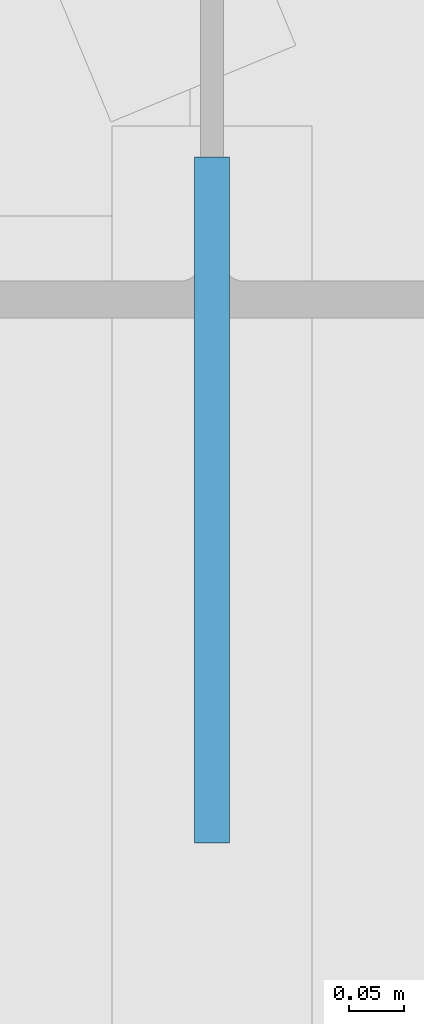
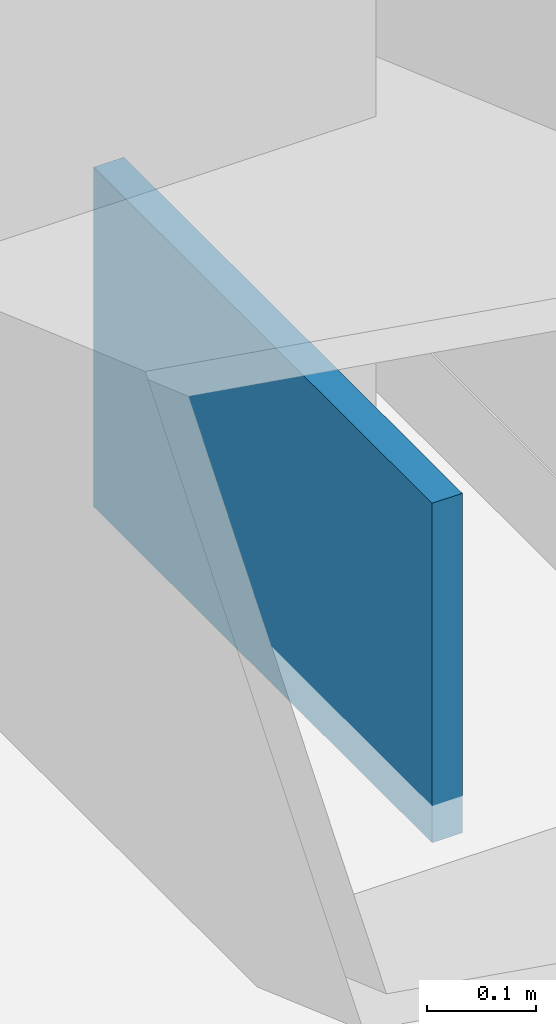
# One storey, part 31 of 35: 1 plate.
"""IFC4 building model written with IfcOpenShell, lengths in metres."""

import ifcopenshell
import ifcopenshell.guid

model = None  # the IFC model being written
_history = None  # IfcOwnerHistory: only IFC2X3 demands one
_inside = {}  # id of a spatial element -> (the spatial element, [elements in it])
_under = {}  # id of a project, library or spatial element -> (it, [spatial elements below it])
_declared = {}  # id of a project -> (the project, [libraries it declares])
_typed = {}  # id of a type object -> (the type object, [elements of that type])
_made_of = {}  # id of a material, layer set ... -> (it, [elements and type objects made of it])


def new_model(schema):
    """Start an empty IFC model of exactly this schema.

    Asked for "IFC4X3", IfcOpenShell would pick the latest addendum, in which some entities
    have other attributes; the version numbers below select the first issue.
    IFC2X3 requires an IfcOwnerHistory on every rooted entity: one is made here for all.
    """
    global model, _history
    if schema == "IFC4X3":
        model = ifcopenshell.file(schema_version=(4, 3, 0, 0))
    else:
        model = ifcopenshell.file(schema=schema)
    _inside.clear()
    _under.clear()
    _declared.clear()
    _typed.clear()
    _made_of.clear()
    _history = None
    if model.schema == "IFC2X3":
        org = make("IfcOrganization", Name="unknown")
        user = make(
            "IfcPersonAndOrganization",
            ThePerson=make("IfcPerson", FamilyName="unknown"),
            TheOrganization=org,
        )
        app = make(
            "IfcApplication",
            ApplicationDeveloper=org,
            Version="unknown",
            ApplicationFullName="unknown",
            ApplicationIdentifier="unknown",
        )
        _history = make(
            "IfcOwnerHistory",
            OwningUser=user,
            OwningApplication=app,
            ChangeAction="ADDED",
            CreationDate=0,
        )
    return model


def make(cls, **values):
    """One entity of the class cls with the attributes given. An attribute that is None is left unset."""
    return model.create_entity(
        cls, **{name: value for name, value in values.items() if value is not None}
    )


def rooted(cls, **values):
    """An entity with a GlobalId (a new one), such as an element, a storey or a relation."""
    return make(cls, GlobalId=ifcopenshell.guid.new(), OwnerHistory=_history, **values)


def si_unit(unit_type, name, prefix=None):
    """IfcSIUnit, for example si_unit("LENGTHUNIT", "METRE", prefix="MILLI")."""
    return make("IfcSIUnit", UnitType=unit_type, Prefix=prefix, Name=name)


def assignment(units):
    """IfcUnitAssignment: the units of a project."""
    return None if units is None else make("IfcUnitAssignment", Units=units)


def point(xyz):
    """IfcCartesianPoint."""
    return None if xyz is None else make("IfcCartesianPoint", Coordinates=xyz)


def direction(xyz):
    """IfcDirection."""
    return None if xyz is None else make("IfcDirection", DirectionRatios=xyz)


def frame(location, z_axis=None, x_axis=None):
    """IfcAxis2Placement3D, a coordinate frame: its origin and axes. An axis left out is left unset."""
    return make(
        "IfcAxis2Placement3D",
        Location=point(location),
        Axis=direction(z_axis),
        RefDirection=direction(x_axis),
    )


def frame_2d(location, x_axis=None):
    """IfcAxis2Placement2D, a coordinate frame in the plane: its origin and x axis."""
    return make(
        "IfcAxis2Placement2D", Location=point(location), RefDirection=direction(x_axis)
    )


def origin():
    """The frame at (0, 0, 0) with its axes left unset."""
    return frame((0.0, 0.0, 0.0))


def origin_2d():
    """The frame at (0, 0) in the plane with its x axis left unset."""
    return frame_2d((0.0, 0.0))


def place(relative_to, where):
    """IfcLocalPlacement: puts the frame where relative to a parent placement (None: the world)."""
    return make(
        "IfcLocalPlacement", PlacementRelTo=relative_to, RelativePlacement=where
    )


def context(
    kind, dimensions, precision=None, world=None, true_north=None, identifier=None
):
    """IfcGeometricRepresentationContext, for example the 3D "Model" context."""
    return make(
        "IfcGeometricRepresentationContext",
        ContextIdentifier=identifier,
        ContextType=kind,
        CoordinateSpaceDimension=dimensions,
        Precision=precision,
        WorldCoordinateSystem=world,
        TrueNorth=true_north,
    )


def subcontext(parent, identifier, kind, view, scale=None):
    """IfcGeometricRepresentationSubContext, for example "Body" below "Model"."""
    return make(
        "IfcGeometricRepresentationSubContext",
        ContextIdentifier=identifier,
        ContextType=kind,
        ParentContext=parent,
        TargetScale=scale,
        TargetView=view,
    )


def project(units=None, contexts=None):
    """IfcProject with its units and contexts."""
    return rooted(
        "IfcProject",
        Name="project",
        RepresentationContexts=contexts,
        UnitsInContext=assignment(units),
    )


def spatial(cls, under=None, at=None, **own):
    """A site, building, storey or space (cls), placed at a placement, below another one or the project."""
    s = rooted(cls, ObjectPlacement=at, **own)
    if under is not None:
        _under.setdefault(under.id(), (under, []))[1].append(s)
    return s


def profile(cls, at=None, kind="AREA", **sizes):
    """A parametric profile (cls). Its sizes go by their IFC names, for example OverallWidth=200.0."""
    return make(cls, ProfileType=kind, Position=at, **sizes)


def rectangle(**sizes):
    """IfcRectangleProfileDef."""
    return profile("IfcRectangleProfileDef", **sizes)


def extrude(swept, where, along, depth):
    """IfcExtrudedAreaSolid: the profile swept, set in the frame where, extruded along a direction by depth."""
    return make(
        "IfcExtrudedAreaSolid",
        SweptArea=swept,
        Position=where,
        ExtrudedDirection=direction(along),
        Depth=depth,
    )


def shape(context_of_items, identifier, shape_type, items):
    """IfcShapeRepresentation: the items that make up one representation, for example the "Body"."""
    return make(
        "IfcShapeRepresentation",
        ContextOfItems=context_of_items,
        RepresentationIdentifier=identifier,
        RepresentationType=shape_type,
        Items=items,
    )


def source(mapping_origin, context_of_items, identifier, shape_type, items):
    """IfcRepresentationMap: a shape defined once, which mapped items show again and again."""
    return make(
        "IfcRepresentationMap",
        MappingOrigin=mapping_origin,
        MappedRepresentation=shape(context_of_items, identifier, shape_type, items),
    )


def transform(
    local_origin,
    x_axis=None,
    y_axis=None,
    z_axis=None,
    scale=None,
    scale2=None,
    scale3=None,
    uniform=True,
):
    """IfcCartesianTransformationOperator3D, or its non-uniform kind. x_axis, y_axis, z_axis: its Axis1, 2, 3."""
    if uniform:
        return make(
            "IfcCartesianTransformationOperator3D",
            Axis1=direction(x_axis),
            Axis2=direction(y_axis),
            LocalOrigin=point(local_origin),
            Scale=scale,
            Axis3=direction(z_axis),
        )
    return make(
        "IfcCartesianTransformationOperator3DnonUniform",
        Axis1=direction(x_axis),
        Axis2=direction(y_axis),
        LocalOrigin=point(local_origin),
        Scale=scale,
        Axis3=direction(z_axis),
        Scale2=scale2,
        Scale3=scale3,
    )


def mapped(mapping_source, mapping_target):
    """IfcMappedItem: shows the shape of a source again, moved by a transform."""
    return make(
        "IfcMappedItem", MappingSource=mapping_source, MappingTarget=mapping_target
    )


def material(Name=None, Category=None):
    """IfcMaterial."""
    return make("IfcMaterial", Name=Name, Category=Category)


def layer(
    of_material, thickness, ventilated=None, Name=None, Category=None, Priority=None
):
    """IfcMaterialLayer: one layer of a wall or slab, of a material (None: an air gap)."""
    return make(
        "IfcMaterialLayer",
        Material=of_material,
        LayerThickness=thickness,
        IsVentilated=ventilated,
        Name=Name,
        Category=Category,
        Priority=Priority,
    )


def layer_set(layers, Name=None):
    """IfcMaterialLayerSet."""
    return make("IfcMaterialLayerSet", MaterialLayers=layers, LayerSetName=Name)


def made_of(thing, what):
    """Note that an element or type object is made of a material, layer set ...; save() writes the relation."""
    if what is not None:
        _made_of.setdefault(what.id(), (what, []))[1].append(thing)
    return thing


def type_object(cls, material=None, **own):
    """A type object (cls), such as IfcWallType, which elements share."""
    return made_of(rooted(cls, **own), material)


def type_shapes(of_type, sources):
    """Give a type object the sources (RepresentationMaps) that its elements show as mapped items."""
    of_type.RepresentationMaps = sources


def element(
    cls,
    number,
    at=None,
    inside=None,
    cuts=None,
    type_object=None,
    material=None,
    context=None,
    identifier="Body",
    shape_type=None,
    held_by="IfcProductDefinitionShape",
    body=None,
    shapes=None,
    **own,
):
    """One element of the class cls, such as IfcWall. Its Tag is "e" and its number.

    at: its placement. inside: the storey or other place that contains it. cuts: it is an
    opening in that element (IfcRelVoidsElement). A single representation is given by context,
    identifier, shape_type and body (its items); several are given by shapes. held_by: the class
    of the entity that holds the representations. save() writes the other relations.
    """
    e = rooted(cls, Tag="e%d" % number, ObjectPlacement=at, **own)
    if body is not None:
        shapes = [shape(context, identifier, shape_type, body)]
    if shapes is not None:
        e.Representation = make(held_by, Representations=shapes)
    if inside is not None:
        _inside.setdefault(inside.id(), (inside, []))[1].append(e)
    if cuts is not None:
        rooted(
            "IfcRelVoidsElement", RelatingBuildingElement=cuts, RelatedOpeningElement=e
        )
    if type_object is not None:
        _typed.setdefault(type_object.id(), (type_object, []))[1].append(e)
    return made_of(e, material)


def aggregate(whole, parts):
    """IfcRelAggregates: a whole, such as a stair, and the parts it consists of."""
    return rooted("IfcRelAggregates", RelatingObject=whole, RelatedObjects=parts)


def save(model, path):
    """Write the relations noted so far, then the file.

    IfcRelAggregates (storeys below a building ...), IfcRelContainedInSpatialStructure (elements
    in a storey), IfcRelDefinesByType, IfcRelAssociatesMaterial and IfcRelDeclares: one each for
    every whole, place, type object, material and project.
    """
    for whole, parts in _under.values():
        aggregate(whole, parts)
    for where, things in _inside.values():
        rooted(
            "IfcRelContainedInSpatialStructure",
            RelatedElements=things,
            RelatingStructure=where,
        )
    for kind, things in _typed.values():
        rooted("IfcRelDefinesByType", RelatedObjects=things, RelatingType=kind)
    for what, things in _made_of.values():
        rooted("IfcRelAssociatesMaterial", RelatedObjects=things, RelatingMaterial=what)
    for by, libraries in _declared.values():
        rooted("IfcRelDeclares", RelatingContext=by, RelatedDefinitions=libraries)
    model.write(path)


model = new_model("IFC4")

# Units and contexts
model_context = context("Model", 3, precision=1e-05, world=origin(), true_north=direction((0.0, 1.0)))
body_context = subcontext(model_context, "Body", "Model", "MODEL_VIEW")
ifc_project = project(units=[si_unit("LENGTHUNIT", "METRE"), si_unit("AREAUNIT", "SQUARE_METRE"), si_unit("VOLUMEUNIT", "CUBIC_METRE"), si_unit("PLANEANGLEUNIT", "RADIAN"), si_unit("MASSUNIT", "GRAM", prefix="KILO")], contexts=[model_context])

# Site, building, storey
site_placement = place(None, origin())
site = spatial("IfcSite", under=ifc_project, at=site_placement, CompositionType="ELEMENT")
building_placement = place(site_placement, origin())
building = spatial("IfcBuilding", under=site, at=building_placement, Name="Varnel Quay Broadcast Tower", CompositionType="ELEMENT")
storey_placement = place(building_placement, frame((0.0, 0.0, 87.0)))
storey = spatial("IfcBuildingStorey", under=building, at=storey_placement, Name="L20", CompositionType="ELEMENT", Elevation=87.0)

# Plate
ifc_material = material(Name="Structural Steel CSA G40.21 350WT", Category="steel")
ifc_layer = layer(ifc_material, 0.031982421875, Name="Structural Steel CSA G40.21 350WT")
ifc_layer_set = layer_set([ifc_layer], Name="Structural Steel CSA G40.21 350WT")
plate_type = type_object("IfcPlateType", Name="Plate_EndCap", PredefinedType="USERDEFINED", material=ifc_layer_set)
shared_shape = source(origin(), body_context, "Body", "SweptSolid", [
    extrude(rectangle(XDim=0.6201171875, YDim=0.031982421875, at=origin_2d()), origin(), (0.0, 0.0, 1.0), 0.3798828125),
])
type_shapes(plate_type, [shared_shape])
plate_placement = place(storey_placement, frame((63.050048828125, 35.241943359375, -0.042724609375), z_axis=(0.0, 0.0, 1.0), x_axis=(0.0, 1.0, 0.0)))
element("IfcPlate", 1, at=plate_placement, inside=storey, type_object=plate_type, Name="Zone 2 Mega-Brace E-FT1 Diag B1 End Connection Plate P0", ObjectType="CAP_PLATE", PredefinedType="USERDEFINED", context=body_context, shape_type="MappedRepresentation", body=[
    mapped(shared_shape, transform((0.0, 0.0, 0.0), x_axis=(1.0, 0.0, 0.0), y_axis=(0.0, 1.0, 0.0), z_axis=(0.0, 0.0, 1.0), scale=1.0)),
])

save(model, "model.ifc")
